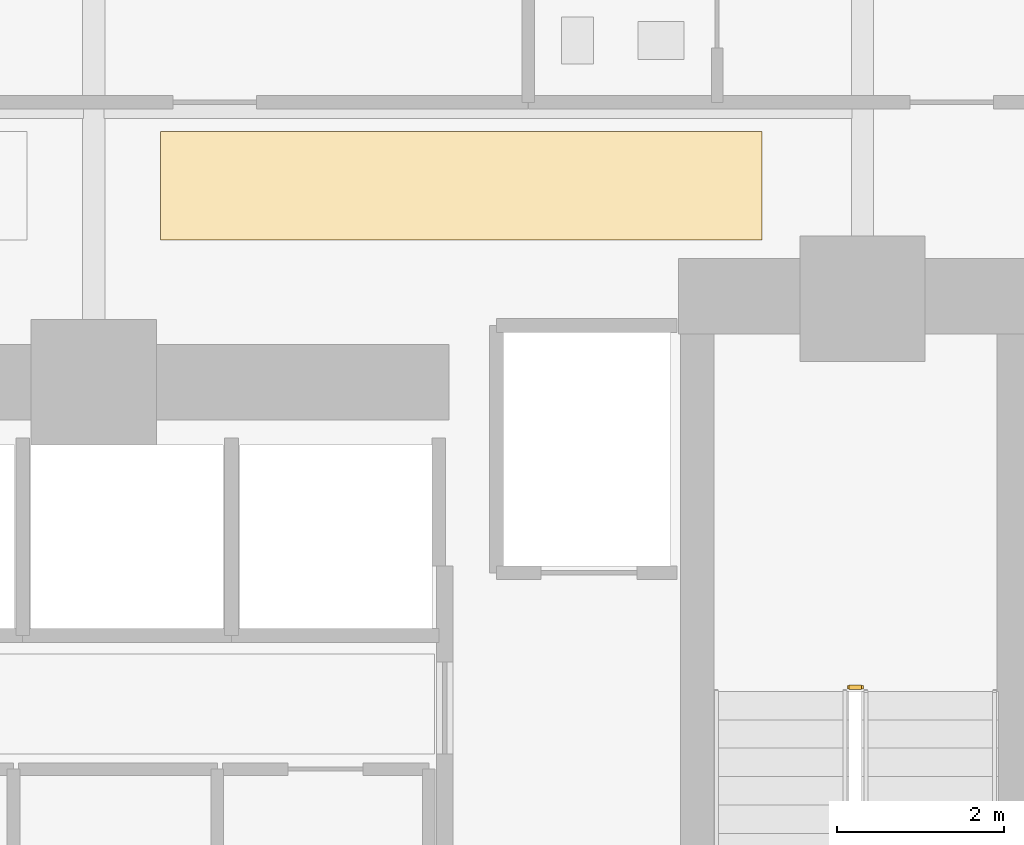
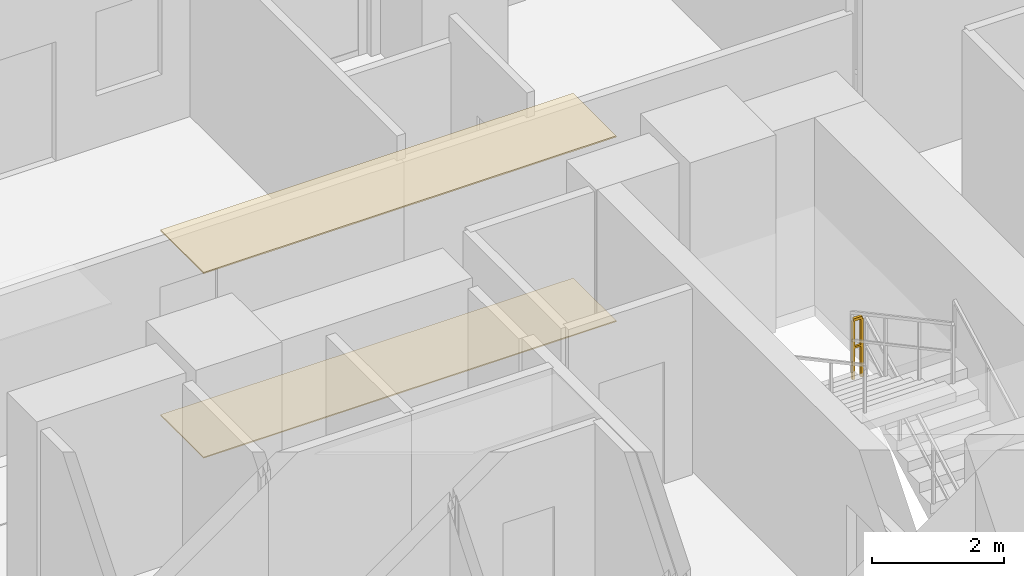
# One storey, part 29 of 30: 2 coverings, 1 railing.
"""IFC4 building model written with IfcOpenShell, lengths in metres."""

from ifc_helpers import new_model, si_unit, direction, frame, origin, origin_2d, place, context, subcontext, project, spatial, polyline, rectangle, outline, extrude, material, layer, layer_set, type_object, element, save


model = new_model("IFC4")

# Units and contexts
model_context = context("Model", 3, precision=1e-05, world=origin(), true_north=direction((0.0, 1.0)))
body_context = subcontext(model_context, "Body", "Model", "MODEL_VIEW")
ifc_project = project(units=[si_unit("LENGTHUNIT", "METRE"), si_unit("AREAUNIT", "SQUARE_METRE"), si_unit("VOLUMEUNIT", "CUBIC_METRE"), si_unit("PLANEANGLEUNIT", "RADIAN"), si_unit("MASSUNIT", "GRAM", prefix="KILO")], contexts=[model_context])

# Site, building, storey
site_placement = place(None, origin())
site = spatial("IfcSite", under=ifc_project, at=site_placement, CompositionType="ELEMENT")
building_placement = place(site_placement, origin())
building = spatial("IfcBuilding", under=site, at=building_placement, Name="Zuhayl Quay Hotel", CompositionType="ELEMENT")
storey_placement = place(building_placement, frame((0.0, 0.0, 82.35009765625)))
storey = spatial("IfcBuildingStorey", under=building, at=storey_placement, Name="L20", CompositionType="ELEMENT", Elevation=82.35009765625)

# Coverings
ifc_material_1 = material(Name="Acoustic Mineral-Fibre Gypsum Board")
ifc_layer_1 = layer(ifc_material_1, 0.02490234375, Name="Acoustic Mineral-Fibre Gypsum Board")
ifc_layer_set_1 = layer_set([ifc_layer_1], Name="Acoustic Mineral-Fibre Gypsum Board")
covering_type_1 = type_object("IfcCoveringType", Name="CV_CEIL_ACOUSTIC", PredefinedType="CEILING", material=ifc_layer_set_1)
covering_1_placement = place(storey_placement, frame((0.0, 0.0, 3.40478515625)))
element("IfcCovering", 1, at=covering_1_placement, inside=storey, type_object=covering_type_1, Name="L20 Guest Corridor Acoustic Ceiling CE", PredefinedType="CEILING", context=body_context, shape_type="SweptSolid", body=[
    extrude(outline(polyline([(5.39990234375, 15.050048828125), (12.60009765625, 15.050048828125), (12.60009765625, 16.35009765625), (5.39990234375, 16.35009765625), (5.39990234375, 15.050048828125)])), origin(), (0.0, 0.0, 1.0), 0.025146484375),
])
ifc_material_2 = material(Name="Polished Limestone Terrazzo", Category="masonry")
ifc_layer_2 = layer(ifc_material_2, 0.02001953125, Name="Polished Limestone Terrazzo", Category="masonry")
ifc_layer_set_2 = layer_set([ifc_layer_2], Name="Polished Limestone Terrazzo")
covering_type_2 = type_object("IfcCoveringType", Name="CV_FLOOR_TERRAZZO", PredefinedType="FLOORING", material=ifc_layer_set_2)
covering_2_placement = place(storey_placement, origin())
element("IfcCovering", 2, at=covering_2_placement, inside=storey, type_object=covering_type_2, Name="L20 Guest Corridor Terrazzo Runner CE", PredefinedType="FLOORING", context=body_context, shape_type="SweptSolid", body=[
    extrude(outline(polyline([(5.39990234375, 15.050048828125), (12.60009765625, 15.050048828125), (12.60009765625, 16.35009765625), (5.39990234375, 16.35009765625), (5.39990234375, 15.050048828125)])), origin(), (0.0, 0.0, 1.0), 0.02001953125),
])

# Railing
ifc_material_3 = material(Name="Steel ASTM A992 Grade 50", Category="steel")
railing_type = type_object("IfcRailingType", Name="RL_GUARD_1100", PredefinedType="GUARDRAIL", material=ifc_material_3)
railing_placement = place(storey_placement, frame((13.7900390625, 9.699951171875, 1.824951171875)))
element("IfcRailing", 3, at=railing_placement, inside=storey, type_object=railing_type, Name="L20 ST2 stair guard 2", PredefinedType="GUARDRAIL", context=body_context, shape_type="SweptSolid", body=[
    extrude(rectangle(XDim=0.048095703125, YDim=0.048095703125, at=origin_2d()), frame((0.0, 0.0, 1.09619140625), z_axis=(-1.0, 0.0, 0.0), x_axis=(0.0, -1.0, 0.0)), (0.0, 0.0, 1.0), 0.150146484375),
    extrude(rectangle(XDim=0.0361328125, YDim=0.0361328125, at=origin_2d()), frame((0.0, 0.0, 0.58251953125), z_axis=(-1.0, 0.0, 0.0), x_axis=(0.0, -1.0, 0.0)), (0.0, 0.0, 1.0), 0.150146484375),
    extrude(rectangle(XDim=0.0419921875, YDim=0.0419921875, at=origin_2d()), origin(), (0.0, 0.0, 1.0), 1.072021484375),
    extrude(rectangle(XDim=0.0419921875, YDim=0.0419921875, at=origin_2d()), frame((-0.150146484375, 0.0, 0.0)), (0.0, 0.0, 1.0), 1.072021484375),
])

save(model, "model.ifc")
